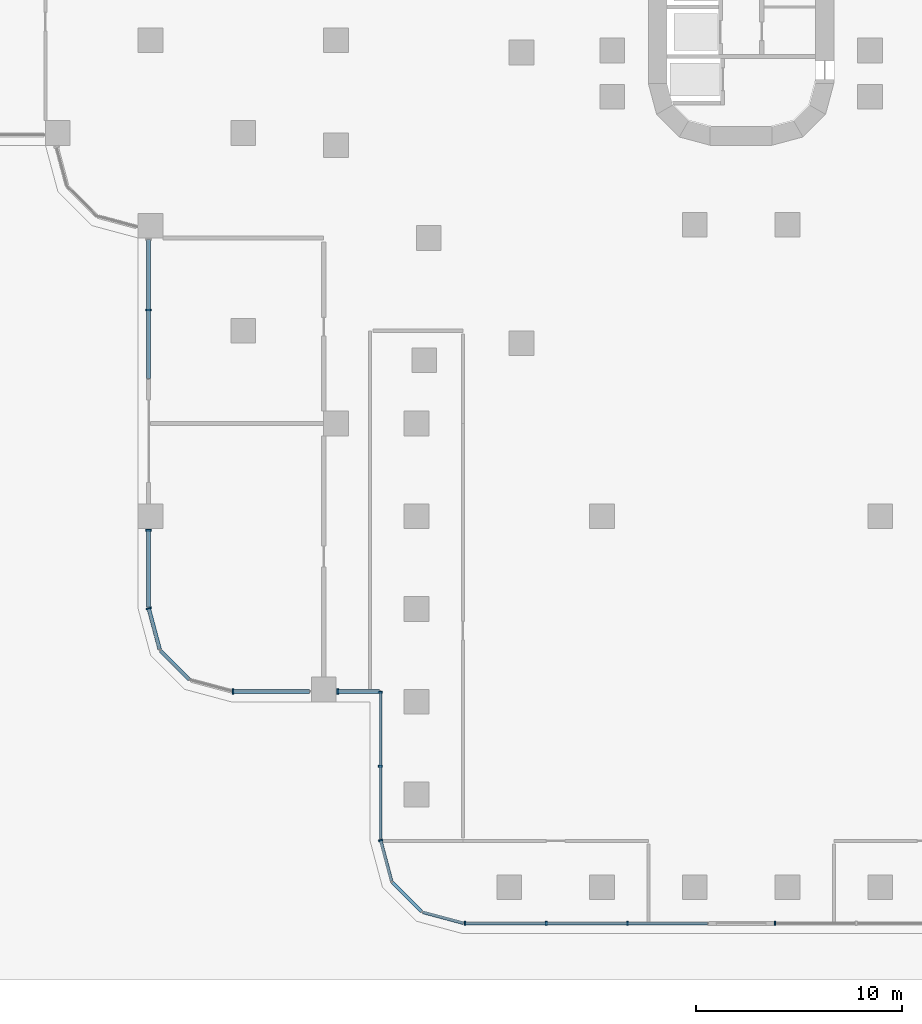
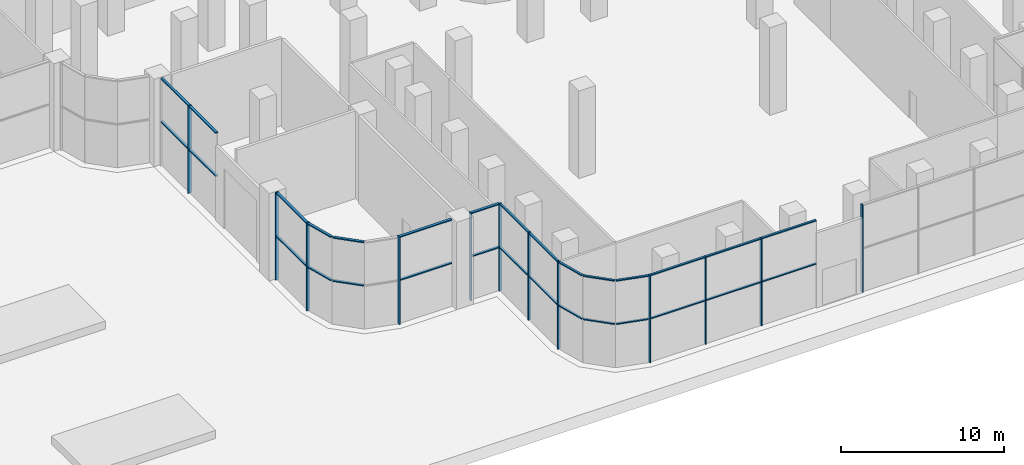
# One storey, part 2 of 34: 34 members, 9 elements without a shape of their own.
"""IFC4 building model written with IfcOpenShell, lengths in metres."""

from ifc_helpers import new_model, si_unit, direction, origin, place, context, subcontext, project, spatial, polyline, outline, extrude, source, transform, mapped, material, type_object, element, aggregate, save


model = new_model("IFC4")

# Units and contexts
model_context = context("Model", 3, precision=1e-05, world=origin(), true_north=direction((0.0, 1.0)))
body_context = subcontext(model_context, "Body", "Model", "MODEL_VIEW")
ifc_project = project(units=[si_unit("LENGTHUNIT", "METRE"), si_unit("AREAUNIT", "SQUARE_METRE"), si_unit("VOLUMEUNIT", "CUBIC_METRE"), si_unit("PLANEANGLEUNIT", "RADIAN"), si_unit("MASSUNIT", "GRAM", prefix="KILO")], contexts=[model_context])

# Site, building, storey
site_placement = place(None, origin())
site = spatial("IfcSite", under=ifc_project, at=site_placement, CompositionType="ELEMENT")
building_placement = place(site_placement, origin())
building = spatial("IfcBuilding", under=site, at=building_placement, Name="Zarbagh Exchange Tower", CompositionType="ELEMENT")
storey_placement = place(building_placement, origin())
storey = spatial("IfcBuildingStorey", under=building, at=storey_placement, Name="L00", CompositionType="ELEMENT", Elevation=0.0)

# Curtain wall, members
ifc_material_1 = material(Name="Anodised aluminium frame and glazing", Category="aluminium")
curtain_wall_type_1 = type_object("IfcCurtainWallType", Name="CWD Exchange hall wall glazing", PredefinedType="NOTDEFINED", material=ifc_material_1)
curtain_wall_1_placement = place(storey_placement, origin())
curtain_wall_1 = element("IfcCurtainWall", 1, at=curtain_wall_1_placement, inside=storey, type_object=curtain_wall_type_1, Name="CWD05 curtain wall", PredefinedType="NOTDEFINED")
ifc_material_2 = material(Name="Anodised aluminium frame", Category="aluminium")
member_type_1 = type_object("IfcMemberType", Name="MUD Mullion, anodised aluminium frame", PredefinedType="MULLION", material=ifc_material_2)
shared_shape_1 = source(origin(), body_context, "Body", "SweptSolid", [
    extrude(outline(polyline([(0.0, -0.10009765625), (0.080078125, -0.10009765625), (0.080078125, 0.10009765625), (0.0, 0.10009765625), (0.0, -0.10009765625)])), origin(), (0.0, 0.0, 1.0), 6.550048828125),
])
placement = place(storey_placement, origin())
member_1 = element("IfcMember", 2, at=placement, type_object=member_type_1, Name="CWD05 mullion 1.1", PredefinedType="MULLION", context=body_context, shape_type="MappedRepresentation", body=[
    mapped(shared_shape_1, transform((-17.5, -55.75, 0.0), x_axis=(0.0, -1.0, 0.0), y_axis=(1.0, 0.0, 0.0), z_axis=(0.0, 0.0, 1.0))),
])
member_2 = element("IfcMember", 3, at=placement, type_object=member_type_1, Name="CWD05 mullion 1.2", PredefinedType="MULLION", context=body_context, shape_type="MappedRepresentation", body=[
    mapped(shared_shape_1, transform((-17.5, -59.342041015625, 0.0), x_axis=(0.0, -1.0, 0.0), y_axis=(1.0, 0.0, 0.0), z_axis=(0.0, 0.0, 1.0))),
])

# Curtain wall, member
curtain_wall_2_placement = place(storey_placement, origin())
curtain_wall_2 = element("IfcCurtainWall", 4, at=curtain_wall_2_placement, inside=storey, type_object=curtain_wall_type_1, Name="CWD06 curtain wall", PredefinedType="NOTDEFINED")
member_3 = element("IfcMember", 5, at=placement, type_object=member_type_1, Name="CWD06 mullion 1.1", PredefinedType="MULLION", context=body_context, shape_type="MappedRepresentation", body=[
    mapped(shared_shape_1, transform((-17.5, -62.93408203125, 0.0), x_axis=(0.258824779902, -0.965924289636, 0.0), y_axis=(0.965924289636, 0.258824779902, 0.0), z_axis=(0.0, 0.0, 1.0))),
])

# Curtain wall, members
curtain_wall_3_placement = place(storey_placement, origin())
curtain_wall_3 = element("IfcCurtainWall", 6, at=curtain_wall_3_placement, inside=storey, type_object=curtain_wall_type_1, Name="CWD09 curtain wall", PredefinedType="NOTDEFINED")
member_4 = element("IfcMember", 7, at=placement, type_object=member_type_1, Name="CWD09 mullion 1.1", PredefinedType="MULLION", context=body_context, shape_type="MappedRepresentation", body=[
    mapped(shared_shape_1, transform((-13.43408203125, -67.0, 0.0), x_axis=(1.0, 0.0, 0.0), y_axis=(0.0, 1.0, 0.0), z_axis=(0.0, 0.0, 1.0))),
])
member_5 = element("IfcMember", 8, at=placement, type_object=member_type_1, Name="CWD09 mullion 1.2", PredefinedType="MULLION", context=body_context, shape_type="MappedRepresentation", body=[
    mapped(shared_shape_1, transform((-9.489501953125, -67.0, 0.0), x_axis=(1.0, 0.0, 0.0), y_axis=(0.0, 1.0, 0.0), z_axis=(0.0, 0.0, 1.0))),
])
member_6 = element("IfcMember", 9, at=placement, type_object=member_type_1, Name="CWD09 mullion 1.3", PredefinedType="MULLION", context=body_context, shape_type="MappedRepresentation", body=[
    mapped(shared_shape_1, transform((-5.544677734375, -67.0, 0.0), x_axis=(1.0, 0.0, 0.0), y_axis=(0.0, 1.0, 0.0), z_axis=(0.0, 0.0, 1.0))),
])
member_7 = element("IfcMember", 10, at=placement, type_object=member_type_1, Name="CWD09 mullion 2.1", PredefinedType="MULLION", context=body_context, shape_type="MappedRepresentation", body=[
    mapped(shared_shape_1, transform((1.60009765625, -67.0, 0.0), x_axis=(1.0, 0.0, 0.0), y_axis=(0.0, 1.0, 0.0), z_axis=(0.0, 0.0, 1.0))),
])

# Member
member_type_2 = type_object("IfcMemberType", Name="TRD Transom, anodised aluminium frame", PredefinedType="USERDEFINED", material=ifc_material_2)
shared_shape_2 = source(origin(), body_context, "Body", "SweptSolid", [
    extrude(outline(polyline([(-0.080078125, -0.074951171875), (0.0, -0.074951171875), (0.0, 0.074951171875), (-0.080078125, 0.074951171875), (-0.080078125, -0.074951171875)])), origin(), (0.0, 0.0, 1.0), 2.049560546875),
])
member_8 = element("IfcMember", 11, at=placement, type_object=member_type_2, Name="CWD06 transom 1.1", ObjectType="TRANSOM", PredefinedType="USERDEFINED", context=body_context, shape_type="MappedRepresentation", body=[
    mapped(shared_shape_2, transform((-17.48974609375, -62.972900390625, 6.550048828125), x_axis=(0.0, 0.0, 1.0), y_axis=(-0.965924289636, -0.258824779902, 0.0), z_axis=(0.258824779902, -0.965924289636, 0.0))),
])

# Curtain wall, member
curtain_wall_4_placement = place(storey_placement, origin())
curtain_wall_4 = element("IfcCurtainWall", 12, at=curtain_wall_4_placement, inside=storey, type_object=curtain_wall_type_1, Name="CWD08 curtain wall", PredefinedType="NOTDEFINED")
member_9 = element("IfcMember", 13, at=placement, type_object=member_type_2, Name="CWD08 transom 1.1", ObjectType="TRANSOM", PredefinedType="USERDEFINED", context=body_context, shape_type="MappedRepresentation", body=[
    mapped(shared_shape_2, transform((-15.45263671875, -66.459228515625, 6.550048828125), x_axis=(0.0, 0.0, 1.0), y_axis=(-0.258824779902, -0.965924289636, 0.0), z_axis=(0.965924289636, -0.258824779902, 0.0))),
])

# Member
shared_shape_3 = source(origin(), body_context, "Body", "SweptSolid", [
    extrude(outline(polyline([(-0.0400390625, -0.074951171875), (0.0400390625, -0.074951171875), (0.0400390625, 0.074951171875), (-0.0400390625, 0.074951171875), (-0.0400390625, -0.074951171875)])), origin(), (0.0, 0.0, 1.0), 2.049560546875),
])
member_10 = element("IfcMember", 14, at=placement, type_object=member_type_2, Name="CWD06 mid transom 1", ObjectType="TRANSOM", PredefinedType="USERDEFINED", context=body_context, shape_type="MappedRepresentation", body=[
    mapped(shared_shape_3, transform((-17.48974609375, -62.972900390625, 3.27490234375), x_axis=(0.0, 0.0, 1.0), y_axis=(-0.965924289636, -0.258824779902, 0.0), z_axis=(0.258824779902, -0.965924289636, 0.0))),
])

aggregate(curtain_wall_2, [member_3, member_8, member_10])

member_11 = element("IfcMember", 15, at=placement, type_object=member_type_2, Name="CWD08 mid transom 1", ObjectType="TRANSOM", PredefinedType="USERDEFINED", context=body_context, shape_type="MappedRepresentation", body=[
    mapped(shared_shape_3, transform((-15.45263671875, -66.459228515625, 3.27490234375), x_axis=(0.0, 0.0, 1.0), y_axis=(-0.258824779902, -0.965924289636, 0.0), z_axis=(0.965924289636, -0.258824779902, 0.0))),
])

aggregate(curtain_wall_4, [member_9, member_11])

# Curtain wall, members
curtain_wall_5_placement = place(storey_placement, origin())
curtain_wall_5 = element("IfcCurtainWall", 16, at=curtain_wall_5_placement, inside=storey, type_object=curtain_wall_type_1, Name="CWD07 curtain wall", PredefinedType="NOTDEFINED")
shared_shape_4 = source(origin(), body_context, "Body", "SweptSolid", [
    extrude(outline(polyline([(-0.080078125, -0.074951171875), (0.0, -0.074951171875), (0.0, 0.074951171875), (-0.080078125, 0.074951171875), (-0.080078125, -0.074951171875)])), origin(), (0.0, 0.0, 1.0), 1.9814453125),
])
member_12 = element("IfcMember", 17, at=placement, type_object=member_type_2, Name="CWD07 transom 1.1", ObjectType="TRANSOM", PredefinedType="USERDEFINED", context=body_context, shape_type="MappedRepresentation", body=[
    mapped(shared_shape_4, transform((-16.92041015625, -65.01953125, 6.550048828125), x_axis=(0.0, 0.0, 1.0), y_axis=(-0.707106781187, -0.707106781187, 0.0), z_axis=(0.707106781187, -0.707106781187, 0.0))),
])
shared_shape_5 = source(origin(), body_context, "Body", "SweptSolid", [
    extrude(outline(polyline([(-0.0400390625, -0.074951171875), (0.0400390625, -0.074951171875), (0.0400390625, 0.074951171875), (-0.0400390625, 0.074951171875), (-0.0400390625, -0.074951171875)])), origin(), (0.0, 0.0, 1.0), 1.9814453125),
])
member_13 = element("IfcMember", 18, at=placement, type_object=member_type_2, Name="CWD07 mid transom 1", ObjectType="TRANSOM", PredefinedType="USERDEFINED", context=body_context, shape_type="MappedRepresentation", body=[
    mapped(shared_shape_5, transform((-16.92041015625, -65.01953125, 3.27490234375), x_axis=(0.0, 0.0, 1.0), y_axis=(-0.707106781187, -0.707106781187, 0.0), z_axis=(0.707106781187, -0.707106781187, 0.0))),
])
aggregate(curtain_wall_5, [member_12, member_13])

# Member
shared_shape_6 = source(origin(), body_context, "Body", "SweptSolid", [
    extrude(outline(polyline([(-0.080078125, -0.074951171875), (0.0, -0.074951171875), (0.0, 0.074951171875), (-0.080078125, 0.074951171875), (-0.080078125, -0.074951171875)])), origin(), (0.0, 0.0, 1.0), 7.104248046875),
])
member_14 = element("IfcMember", 19, at=placement, type_object=member_type_2, Name="CWD05 transom 1.1", ObjectType="TRANSOM", PredefinedType="USERDEFINED", context=body_context, shape_type="MappedRepresentation", body=[
    mapped(shared_shape_6, transform((-17.5, -55.7900390625, 6.550048828125), x_axis=(0.0, 0.0, 1.0), y_axis=(-1.0, 0.0, 0.0), z_axis=(0.0, -1.0, 0.0))),
])

shared_shape_7 = source(origin(), body_context, "Body", "SweptSolid", [
    extrude(outline(polyline([(-0.0400390625, -0.074951171875), (0.0400390625, -0.074951171875), (0.0400390625, 0.074951171875), (-0.0400390625, 0.074951171875), (-0.0400390625, -0.074951171875)])), origin(), (0.0, 0.0, 1.0), 7.104248046875),
])
member_15 = element("IfcMember", 20, at=placement, type_object=member_type_2, Name="CWD05 mid transom 1", ObjectType="TRANSOM", PredefinedType="USERDEFINED", context=body_context, shape_type="MappedRepresentation", body=[
    mapped(shared_shape_7, transform((-17.5, -55.7900390625, 3.27490234375), x_axis=(0.0, 0.0, 1.0), y_axis=(-1.0, 0.0, 0.0), z_axis=(0.0, -1.0, 0.0))),
])

aggregate(curtain_wall_1, [member_1, member_14, member_15, member_2])

# Curtain wall, members
curtain_wall_type_2 = type_object("IfcCurtainWallType", Name="CWC Podium garden-wall glazing", PredefinedType="NOTDEFINED", material=ifc_material_1)
curtain_wall_6_placement = place(storey_placement, origin())
curtain_wall_6 = element("IfcCurtainWall", 21, at=curtain_wall_6_placement, inside=storey, type_object=curtain_wall_type_2, Name="CWC45 curtain wall", PredefinedType="NOTDEFINED")
member_type_3 = type_object("IfcMemberType", Name="MUC Mullion, anodised aluminium frame", PredefinedType="MULLION", material=ifc_material_2)
shared_shape_8 = source(origin(), body_context, "Body", "SweptSolid", [
    extrude(outline(polyline([(0.0, -0.125), (0.080078125, -0.125), (0.080078125, 0.125), (0.0, 0.125), (0.0, -0.125)])), origin(), (0.0, 0.0, 1.0), 6.550048828125),
])
member_16 = element("IfcMember", 22, at=placement, type_object=member_type_3, Name="CWC45 mullion 1.2", PredefinedType="MULLION", context=body_context, shape_type="MappedRepresentation", body=[
    mapped(shared_shape_8, transform((-28.75, -37.199951171875, 0.0), x_axis=(0.0, -1.0, 0.0), y_axis=(1.0, 0.0, 0.0), z_axis=(0.0, 0.0, 1.0))),
])
member_17 = element("IfcMember", 23, at=placement, type_object=member_type_3, Name="CWC45 mullion 2.1", PredefinedType="MULLION", context=body_context, shape_type="MappedRepresentation", body=[
    mapped(shared_shape_8, transform((-28.75, -47.89013671875, 0.0), x_axis=(0.0, -1.0, 0.0), y_axis=(1.0, 0.0, 0.0), z_axis=(0.0, 0.0, 1.0))),
])

# Curtain wall, member
curtain_wall_7_placement = place(storey_placement, origin())
curtain_wall_7 = element("IfcCurtainWall", 24, at=curtain_wall_7_placement, inside=storey, type_object=curtain_wall_type_2, Name="CWC46 curtain wall", PredefinedType="NOTDEFINED")
member_18 = element("IfcMember", 25, at=placement, type_object=member_type_3, Name="CWC46 mullion 1.1", PredefinedType="MULLION", context=body_context, shape_type="MappedRepresentation", body=[
    mapped(shared_shape_8, transform((-28.75, -51.68408203125, 0.0), x_axis=(0.258824779902, -0.965924289636, 0.0), y_axis=(0.965924289636, 0.258824779902, 0.0), z_axis=(0.0, 0.0, 1.0))),
])

# Curtain wall, members
curtain_wall_8_placement = place(storey_placement, origin())
curtain_wall_8 = element("IfcCurtainWall", 26, at=curtain_wall_8_placement, inside=storey, type_object=curtain_wall_type_2, Name="CWC49 curtain wall", PredefinedType="NOTDEFINED")
member_19 = element("IfcMember", 27, at=placement, type_object=member_type_3, Name="CWC49 mullion 1.1", PredefinedType="MULLION", context=body_context, shape_type="MappedRepresentation", body=[
    mapped(shared_shape_8, transform((-24.68408203125, -55.75, 0.0), x_axis=(1.0, 0.0, 0.0), y_axis=(0.0, 1.0, 0.0), z_axis=(0.0, 0.0, 1.0))),
])
member_20 = element("IfcMember", 28, at=placement, type_object=member_type_3, Name="CWC49 mullion 2.1", PredefinedType="MULLION", context=body_context, shape_type="MappedRepresentation", body=[
    mapped(shared_shape_8, transform((-19.60986328125, -55.75, 0.0), x_axis=(1.0, 0.0, 0.0), y_axis=(0.0, 1.0, 0.0), z_axis=(0.0, 0.0, 1.0))),
])
member_type_4 = type_object("IfcMemberType", Name="TRC Transom, anodised aluminium frame", PredefinedType="USERDEFINED", material=ifc_material_2)
shared_shape_9 = source(origin(), body_context, "Body", "SweptSolid", [
    extrude(outline(polyline([(-0.080078125, -0.090087890625), (0.0, -0.090087890625), (0.0, 0.090087890625), (-0.080078125, 0.090087890625), (-0.080078125, -0.090087890625)])), origin(), (0.0, 0.0, 1.0), 2.030029296875),
])
member_21 = element("IfcMember", 29, at=placement, type_object=member_type_4, Name="CWC49 transom 2.1", ObjectType="TRANSOM", PredefinedType="USERDEFINED", context=body_context, shape_type="MappedRepresentation", body=[
    mapped(shared_shape_9, transform((-19.570068359375, -55.75, 6.550048828125), x_axis=(0.0, 0.0, 1.0), y_axis=(0.0, -1.0, 0.0), z_axis=(1.0, 0.0, 0.0))),
])
shared_shape_10 = source(origin(), body_context, "Body", "SweptSolid", [
    extrude(outline(polyline([(-0.0400390625, -0.090087890625), (0.0400390625, -0.090087890625), (0.0400390625, 0.090087890625), (-0.0400390625, 0.090087890625), (-0.0400390625, -0.090087890625)])), origin(), (0.0, 0.0, 1.0), 2.030029296875),
])
member_22 = element("IfcMember", 30, at=placement, type_object=member_type_4, Name="CWC49 mid transom 2", ObjectType="TRANSOM", PredefinedType="USERDEFINED", context=body_context, shape_type="MappedRepresentation", body=[
    mapped(shared_shape_10, transform((-19.570068359375, -55.75, 3.27490234375), x_axis=(0.0, 0.0, 1.0), y_axis=(0.0, -1.0, 0.0), z_axis=(1.0, 0.0, 0.0))),
])

# Member
shared_shape_11 = source(origin(), body_context, "Body", "SweptSolid", [
    extrude(outline(polyline([(-0.080078125, -0.090087890625), (0.0, -0.090087890625), (0.0, 0.090087890625), (-0.080078125, 0.090087890625), (-0.080078125, -0.090087890625)])), origin(), (0.0, 0.0, 1.0), 3.714111328125),
])
member_23 = element("IfcMember", 31, at=placement, type_object=member_type_4, Name="CWC45 transom 2.1", ObjectType="TRANSOM", PredefinedType="USERDEFINED", context=body_context, shape_type="MappedRepresentation", body=[
    mapped(shared_shape_11, transform((-28.75, -47.929931640625, 6.550048828125), x_axis=(0.0, 0.0, 1.0), y_axis=(-1.0, 0.0, 0.0), z_axis=(0.0, -1.0, 0.0))),
])

member_24 = element("IfcMember", 32, at=placement, type_object=member_type_4, Name="CWC49 transom 1.1", ObjectType="TRANSOM", PredefinedType="USERDEFINED", context=body_context, shape_type="MappedRepresentation", body=[
    mapped(shared_shape_11, transform((-24.644287109375, -55.75, 6.550048828125), x_axis=(0.0, 0.0, 1.0), y_axis=(0.0, -1.0, 0.0), z_axis=(1.0, 0.0, 0.0))),
])

shared_shape_12 = source(origin(), body_context, "Body", "SweptSolid", [
    extrude(outline(polyline([(-0.0400390625, -0.090087890625), (0.0400390625, -0.090087890625), (0.0400390625, 0.090087890625), (-0.0400390625, 0.090087890625), (-0.0400390625, -0.090087890625)])), origin(), (0.0, 0.0, 1.0), 3.714111328125),
])
member_25 = element("IfcMember", 33, at=placement, type_object=member_type_4, Name="CWC45 mid transom 2", ObjectType="TRANSOM", PredefinedType="USERDEFINED", context=body_context, shape_type="MappedRepresentation", body=[
    mapped(shared_shape_12, transform((-28.75, -47.929931640625, 3.27490234375), x_axis=(0.0, 0.0, 1.0), y_axis=(-1.0, 0.0, 0.0), z_axis=(0.0, -1.0, 0.0))),
])

member_26 = element("IfcMember", 34, at=placement, type_object=member_type_4, Name="CWC49 mid transom 1", ObjectType="TRANSOM", PredefinedType="USERDEFINED", context=body_context, shape_type="MappedRepresentation", body=[
    mapped(shared_shape_12, transform((-24.644287109375, -55.75, 3.27490234375), x_axis=(0.0, 0.0, 1.0), y_axis=(0.0, -1.0, 0.0), z_axis=(1.0, 0.0, 0.0))),
])

aggregate(curtain_wall_8, [member_19, member_24, member_26, member_20, member_21, member_22])

shared_shape_13 = source(origin(), body_context, "Body", "SweptSolid", [
    extrude(outline(polyline([(-0.080078125, -0.090087890625), (0.0, -0.090087890625), (0.0, 0.090087890625), (-0.080078125, 0.090087890625), (-0.080078125, -0.090087890625)])), origin(), (0.0, 0.0, 1.0), 2.049560546875),
])
member_27 = element("IfcMember", 35, at=placement, type_object=member_type_4, Name="CWC46 transom 1.1", ObjectType="TRANSOM", PredefinedType="USERDEFINED", context=body_context, shape_type="MappedRepresentation", body=[
    mapped(shared_shape_13, transform((-28.73974609375, -51.722900390625, 6.550048828125), x_axis=(0.0, 0.0, 1.0), y_axis=(-0.965924289636, -0.258824779902, 0.0), z_axis=(0.258824779902, -0.965924289636, 0.0))),
])

shared_shape_14 = source(origin(), body_context, "Body", "SweptSolid", [
    extrude(outline(polyline([(-0.0400390625, -0.090087890625), (0.0400390625, -0.090087890625), (0.0400390625, 0.090087890625), (-0.0400390625, 0.090087890625), (-0.0400390625, -0.090087890625)])), origin(), (0.0, 0.0, 1.0), 2.049560546875),
])
member_28 = element("IfcMember", 36, at=placement, type_object=member_type_4, Name="CWC46 mid transom 1", ObjectType="TRANSOM", PredefinedType="USERDEFINED", context=body_context, shape_type="MappedRepresentation", body=[
    mapped(shared_shape_14, transform((-28.73974609375, -51.722900390625, 3.27490234375), x_axis=(0.0, 0.0, 1.0), y_axis=(-0.965924289636, -0.258824779902, 0.0), z_axis=(0.258824779902, -0.965924289636, 0.0))),
])

aggregate(curtain_wall_7, [member_18, member_27, member_28])

# Curtain wall, members
curtain_wall_9_placement = place(storey_placement, origin())
curtain_wall_9 = element("IfcCurtainWall", 37, at=curtain_wall_9_placement, inside=storey, type_object=curtain_wall_type_2, Name="CWC47 curtain wall", PredefinedType="NOTDEFINED")
shared_shape_15 = source(origin(), body_context, "Body", "SweptSolid", [
    extrude(outline(polyline([(-0.080078125, -0.090087890625), (0.0, -0.090087890625), (0.0, 0.090087890625), (-0.080078125, 0.090087890625), (-0.080078125, -0.090087890625)])), origin(), (0.0, 0.0, 1.0), 1.9814453125),
])
member_29 = element("IfcMember", 38, at=placement, type_object=member_type_4, Name="CWC47 transom 1.1", ObjectType="TRANSOM", PredefinedType="USERDEFINED", context=body_context, shape_type="MappedRepresentation", body=[
    mapped(shared_shape_15, transform((-28.17041015625, -53.76953125, 6.550048828125), x_axis=(0.0, 0.0, 1.0), y_axis=(-0.707106781187, -0.707106781187, 0.0), z_axis=(0.707106781187, -0.707106781187, 0.0))),
])
shared_shape_16 = source(origin(), body_context, "Body", "SweptSolid", [
    extrude(outline(polyline([(-0.0400390625, -0.090087890625), (0.0400390625, -0.090087890625), (0.0400390625, 0.090087890625), (-0.0400390625, 0.090087890625), (-0.0400390625, -0.090087890625)])), origin(), (0.0, 0.0, 1.0), 1.9814453125),
])
member_30 = element("IfcMember", 39, at=placement, type_object=member_type_4, Name="CWC47 mid transom 1", ObjectType="TRANSOM", PredefinedType="USERDEFINED", context=body_context, shape_type="MappedRepresentation", body=[
    mapped(shared_shape_16, transform((-28.17041015625, -53.76953125, 3.27490234375), x_axis=(0.0, 0.0, 1.0), y_axis=(-0.707106781187, -0.707106781187, 0.0), z_axis=(0.707106781187, -0.707106781187, 0.0))),
])
aggregate(curtain_wall_9, [member_29, member_30])

# Member
shared_shape_17 = source(origin(), body_context, "Body", "SweptSolid", [
    extrude(outline(polyline([(-0.080078125, -0.090087890625), (0.0, -0.090087890625), (0.0, 0.090087890625), (-0.080078125, 0.090087890625), (-0.080078125, -0.090087890625)])), origin(), (0.0, 0.0, 1.0), 6.739990234375),
])
member_31 = element("IfcMember", 40, at=placement, type_object=member_type_4, Name="CWC45 transom 1.1", ObjectType="TRANSOM", PredefinedType="USERDEFINED", context=body_context, shape_type="MappedRepresentation", body=[
    mapped(shared_shape_17, transform((-28.75, -33.830078125, 6.550048828125), x_axis=(0.0, 0.0, 1.0), y_axis=(-1.0, 0.0, 0.0), z_axis=(0.0, -1.0, 0.0))),
])

shared_shape_18 = source(origin(), body_context, "Body", "SweptSolid", [
    extrude(outline(polyline([(-0.0400390625, -0.090087890625), (0.0400390625, -0.090087890625), (0.0400390625, 0.090087890625), (-0.0400390625, 0.090087890625), (-0.0400390625, -0.090087890625)])), origin(), (0.0, 0.0, 1.0), 6.739990234375),
])
member_32 = element("IfcMember", 41, at=placement, type_object=member_type_4, Name="CWC45 mid transom 1", ObjectType="TRANSOM", PredefinedType="USERDEFINED", context=body_context, shape_type="MappedRepresentation", body=[
    mapped(shared_shape_18, transform((-28.75, -33.830078125, 3.27490234375), x_axis=(0.0, 0.0, 1.0), y_axis=(-1.0, 0.0, 0.0), z_axis=(0.0, -1.0, 0.0))),
])

aggregate(curtain_wall_6, [member_31, member_32, member_16, member_17, member_23, member_25])

shared_shape_19 = source(origin(), body_context, "Body", "SweptSolid", [
    extrude(outline(polyline([(-0.080078125, -0.074951171875), (0.0, -0.074951171875), (0.0, 0.074951171875), (-0.080078125, 0.074951171875), (-0.080078125, -0.074951171875)])), origin(), (0.0, 0.0, 1.0), 11.754150390625),
])
member_33 = element("IfcMember", 42, at=placement, type_object=member_type_2, Name="CWD09 transom 1.1", ObjectType="TRANSOM", PredefinedType="USERDEFINED", context=body_context, shape_type="MappedRepresentation", body=[
    mapped(shared_shape_19, transform((-13.394287109375, -67.0, 6.550048828125), x_axis=(0.0, 0.0, 1.0), y_axis=(0.0, -1.0, 0.0), z_axis=(1.0, 0.0, 0.0))),
])

shared_shape_20 = source(origin(), body_context, "Body", "SweptSolid", [
    extrude(outline(polyline([(-0.0400390625, -0.074951171875), (0.0400390625, -0.074951171875), (0.0400390625, 0.074951171875), (-0.0400390625, 0.074951171875), (-0.0400390625, -0.074951171875)])), origin(), (0.0, 0.0, 1.0), 11.754150390625),
])
member_34 = element("IfcMember", 43, at=placement, type_object=member_type_2, Name="CWD09 mid transom 1", ObjectType="TRANSOM", PredefinedType="USERDEFINED", context=body_context, shape_type="MappedRepresentation", body=[
    mapped(shared_shape_20, transform((-13.394287109375, -67.0, 3.27490234375), x_axis=(0.0, 0.0, 1.0), y_axis=(0.0, -1.0, 0.0), z_axis=(1.0, 0.0, 0.0))),
])

aggregate(curtain_wall_3, [member_4, member_33, member_34, member_5, member_6, member_7])

save(model, "model.ifc")
